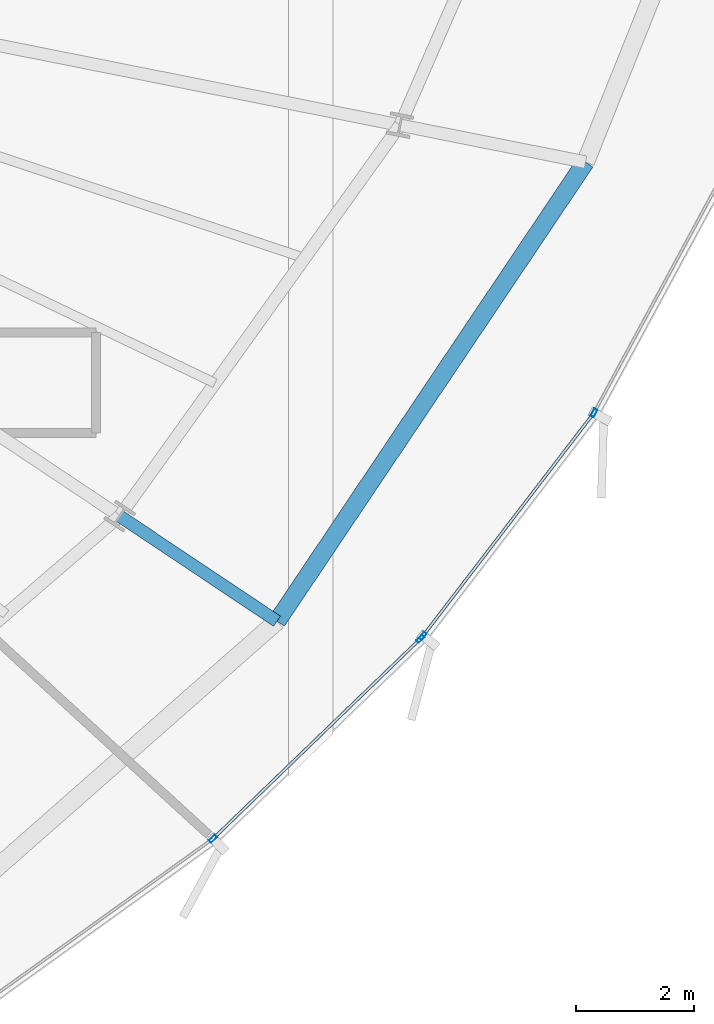
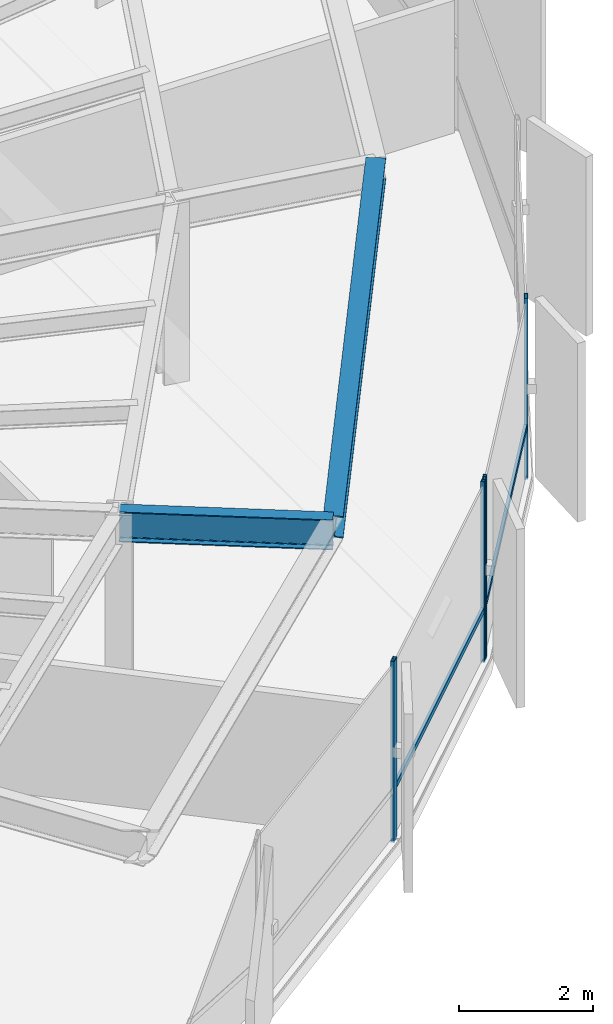
# One storey, part 13 of 34: 6 members, 2 beams, 2 elements without a shape of their own.
"""IFC4 building model written with IfcOpenShell, lengths in metres."""

from ifc_helpers import new_model, si_unit, direction, frame, origin, origin_2d, place, context, subcontext, project, spatial, hollow_rectangle, i_section, extrude, source, transform, mapped, material, layer, layer_set, material_profile, profile_set, type_object, element, aggregate, save


model = new_model("IFC4")

# Units and contexts
model_context = context("Model", 3, precision=1e-05, world=origin(), true_north=direction((0.0, 1.0)))
body_context = subcontext(model_context, "Body", "Model", "MODEL_VIEW")
ifc_project = project(units=[si_unit("LENGTHUNIT", "METRE"), si_unit("AREAUNIT", "SQUARE_METRE"), si_unit("VOLUMEUNIT", "CUBIC_METRE"), si_unit("PLANEANGLEUNIT", "RADIAN"), si_unit("MASSUNIT", "GRAM", prefix="KILO"), si_unit("THERMODYNAMICTEMPERATUREUNIT", "KELVIN")], contexts=[model_context])

# Site, building, storey
site_placement = place(None, origin())
site = spatial("IfcSite", under=ifc_project, at=site_placement, CompositionType="ELEMENT")
building_placement = place(site_placement, origin())
building = spatial("IfcBuilding", under=site, at=building_placement, Name="Kethvar Cultural Tower", CompositionType="ELEMENT")
storey_placement = place(building_placement, frame((0.0, 0.0, 128.800048828125)))
storey = spatial("IfcBuildingStorey", under=building, at=storey_placement, Name="L32", CompositionType="ELEMENT", Elevation=128.800048828125)

# Beams
ifc_material_1 = material(Name="Steel S355J2", Category="steel")
ifc_material_profile_1 = material_profile(ifc_material_1, i_section(OverallWidth=0.2099609375, OverallDepth=0.550048828125, WebThickness=0.010986328125, FlangeThickness=0.01708984375, FilletRadius=0.02392578125, at=origin_2d()), Name="Steel S355J2 — IPE550")
ifc_profile_set_1 = profile_set([ifc_material_profile_1], Name="Steel S355J2 — IPE550")
beam_type_1 = type_object("IfcBeamType", Name="BM-IPE550", PredefinedType="BEAM", material=ifc_profile_set_1)
shared_shape_1 = source(origin(), body_context, "Body", "SweptSolid", [
    extrude(i_section(OverallWidth=0.2099609375, OverallDepth=0.550048828125, WebThickness=0.010986328125, FlangeThickness=0.01708984375, FilletRadius=0.02392578125, at=origin_2d()), origin(), (0.0, 0.0, 1.0), 3.199951171875),
])
beam_1_placement = place(storey_placement, frame((62.898681640625, 17.043212890625, 3.02294921875), z_axis=(0.831462943996, -0.555580212716, 0.0), x_axis=(0.555580212716, 0.831462943996, 0.0)))
element("IfcBeam", 1, at=beam_1_placement, inside=storey, type_object=beam_type_1, Name="L32 Perimeter Cantilever Beam RC-15", PredefinedType="BEAM", context=body_context, shape_type="MappedRepresentation", body=[
    mapped(shared_shape_1, transform((0.0, 0.0, 0.0), scale=1.0)),
])
ifc_material_profile_2 = material_profile(ifc_material_1, i_section(OverallWidth=0.300048828125, OverallDepth=0.39990234375, WebThickness=0.013427734375, FlangeThickness=0.02392578125, FilletRadius=0.027099609375, at=origin_2d()), Name="Steel S355J2 — HEB400")
ifc_profile_set_2 = profile_set([ifc_material_profile_2], Name="Steel S355J2 — HEB400")
beam_type_2 = type_object("IfcBeamType", Name="BM-SP400", PredefinedType="SPANDREL", material=ifc_profile_set_2)
shared_shape_2 = source(origin(), body_context, "Body", "SweptSolid", [
    extrude(i_section(OverallWidth=0.300048828125, OverallDepth=0.39990234375, WebThickness=0.013427734375, FlangeThickness=0.02392578125, FilletRadius=0.027099609375, at=origin_2d()), origin(), (0.0, 0.0, 1.0), 9.355224609375),
])
beam_2_placement = place(storey_placement, frame((65.559326171875, 15.265380859375, 3.097900390625), z_axis=(0.557731714622, 0.830021285573, 0.0), x_axis=(-0.830021285573, 0.557731714622, 0.0)))
element("IfcBeam", 2, at=beam_2_placement, inside=storey, type_object=beam_type_2, Name="L32 Perimeter Spandrel Beam SP-15", PredefinedType="SPANDREL", context=body_context, shape_type="MappedRepresentation", body=[
    mapped(shared_shape_2, transform((0.0, 0.0, 0.0), scale=1.0)),
])

# Curtain wall, members
ifc_material_2 = material(Name="Aluminium 6063-T6", Category="aluminium")
ifc_layer = layer(ifc_material_2, 0.179931640625, Name="Aluminium 6063-T6", Category="aluminium")
ifc_layer_set = layer_set([ifc_layer], Name="Aluminium 6063-T6 (180 mm)")
curtain_wall_type = type_object("IfcCurtainWallType", Name="CW-SYS-04-Z34", PredefinedType="NOTDEFINED", material=ifc_layer_set)
curtain_wall_1_placement = place(storey_placement, origin())
curtain_wall_1 = element("IfcCurtainWall", 3, at=curtain_wall_1_placement, inside=storey, type_object=curtain_wall_type, Name="L32 Curtain Wall Run 05", PredefinedType="NOTDEFINED")
ifc_material_profile_3 = material_profile(ifc_material_2, hollow_rectangle(XDim=0.06005859375, YDim=0.139892578125, WallThickness=0.0048828125, at=origin_2d()), Name="Aluminium 6063-T6 — RHS140x60x5")
ifc_profile_set_3 = profile_set([ifc_material_profile_3], Name="Aluminium 6063-T6 — RHS140x60x5")
member_type_1 = type_object("IfcMemberType", Name="CW-SYS-04-Z34-MUL", PredefinedType="MULLION", material=ifc_profile_set_3)
shared_shape_3 = source(origin(), body_context, "Body", "SweptSolid", [
    extrude(hollow_rectangle(XDim=0.06005859375, YDim=0.139892578125, WallThickness=0.0048828125, at=origin_2d()), origin(), (0.0, 0.0, 1.0), 3.300048828125),
])
member_1_placement = place(storey_placement, frame((64.477294921875, 11.587890625, 0.0), z_axis=(0.0, 0.0, 1.0), x_axis=(-0.694143443883, 0.719836703228, 0.0)))
member_1 = element("IfcMember", 4, at=member_1_placement, type_object=member_type_1, Name="CW-L32-R05 Mullion 6", PredefinedType="MULLION", context=body_context, shape_type="MappedRepresentation", body=[
    mapped(shared_shape_3, transform((0.0, 0.0, 0.0), scale=1.0)),
])
member_2_placement = place(storey_placement, frame((67.98486328125, 14.97021484375, 0.0), z_axis=(0.0, 0.0, 1.0), x_axis=(-0.694143443883, 0.719836703228, 0.0)))
member_2 = element("IfcMember", 5, at=member_2_placement, type_object=member_type_1, Name="CW-L32-R05 Mullion 7", PredefinedType="MULLION", context=body_context, shape_type="MappedRepresentation", body=[
    mapped(shared_shape_3, transform((0.0, 0.0, 0.0), scale=1.0)),
])

curtain_wall_2_placement = place(storey_placement, origin())
curtain_wall_2 = element("IfcCurtainWall", 6, at=curtain_wall_2_placement, inside=storey, type_object=curtain_wall_type, Name="L32 Curtain Wall Run 06", PredefinedType="NOTDEFINED")
member_3_placement = place(storey_placement, frame((68.025634765625, 15.01611328125, 0.0), z_axis=(0.0, 0.0, 1.0), x_axis=(-0.793608268074, 0.608429056542, 0.0)))
member_3 = element("IfcMember", 7, at=member_3_placement, type_object=member_type_1, Name="CW-L32-R06 Mullion 1", PredefinedType="MULLION", context=body_context, shape_type="MappedRepresentation", body=[
    mapped(shared_shape_3, transform((0.0, 0.0, 0.0), scale=1.0)),
])
member_4_placement = place(storey_placement, frame((70.919189453125, 18.78759765625, 0.0), z_axis=(0.0, 0.0, 1.0), x_axis=(-0.879714973959, 0.475501382324, 0.0)))
member_4 = element("IfcMember", 8, at=member_4_placement, type_object=member_type_1, Name="CW-L32-R06 Mullion 2", PredefinedType="MULLION", context=body_context, shape_type="MappedRepresentation", body=[
    mapped(shared_shape_3, transform((0.0, 0.0, 0.0), scale=1.0)),
])

# Member
ifc_material_profile_4 = material_profile(ifc_material_2, hollow_rectangle(XDim=0.050048828125, YDim=0.10009765625, WallThickness=0.00390625, at=origin_2d()), Name="Aluminium 6063-T6 — RHS100x50x4")
ifc_profile_set_4 = profile_set([ifc_material_profile_4], Name="Aluminium 6063-T6 — RHS100x50x4")
member_type_2 = type_object("IfcMemberType", Name="CW-SYS-04-Z34-TRN", PredefinedType="USERDEFINED", material=ifc_profile_set_4)
shared_shape_4 = source(origin(), body_context, "Body", "SweptSolid", [
    extrude(hollow_rectangle(XDim=0.050048828125, YDim=0.10009765625, WallThickness=0.00390625, at=origin_2d()), origin(), (0.0, 0.0, 1.0), 4.8251953125),
])
member_5_placement = place(storey_placement, frame((64.50830078125, 11.617919921875, 0.949951171875), z_axis=(0.71984158666, 0.694138379658, 0.0), x_axis=(-0.694138379658, 0.71984158666, 0.0)))
member_5 = element("IfcMember", 9, at=member_5_placement, type_object=member_type_2, Name="CW-L32-R05 Transom 6", ObjectType="TRANSOM", PredefinedType="USERDEFINED", context=body_context, shape_type="MappedRepresentation", body=[
    mapped(shared_shape_4, transform((0.0, 0.0, 0.0), scale=1.0)),
])

aggregate(curtain_wall_1, [member_1, member_2, member_5])

shared_shape_5 = source(origin(), body_context, "Body", "SweptSolid", [
    extrude(hollow_rectangle(XDim=0.050048828125, YDim=0.10009765625, WallThickness=0.00390625, at=origin_2d()), origin(), (0.0, 0.0, 1.0), 4.7236328125),
])
member_6_placement = place(storey_placement, frame((68.0283203125, 15.019287109375, 0.949951171875), z_axis=(0.608426118432, 0.793610520602, 0.0), x_axis=(-0.793610520602, 0.608426118432, 0.0)))
member_6 = element("IfcMember", 10, at=member_6_placement, type_object=member_type_2, Name="CW-L32-R06 Transom 1", ObjectType="TRANSOM", PredefinedType="USERDEFINED", context=body_context, shape_type="MappedRepresentation", body=[
    mapped(shared_shape_5, transform((0.0, 0.0, 0.0), scale=1.0)),
])

aggregate(curtain_wall_2, [member_3, member_4, member_6])

save(model, "model.ifc")
